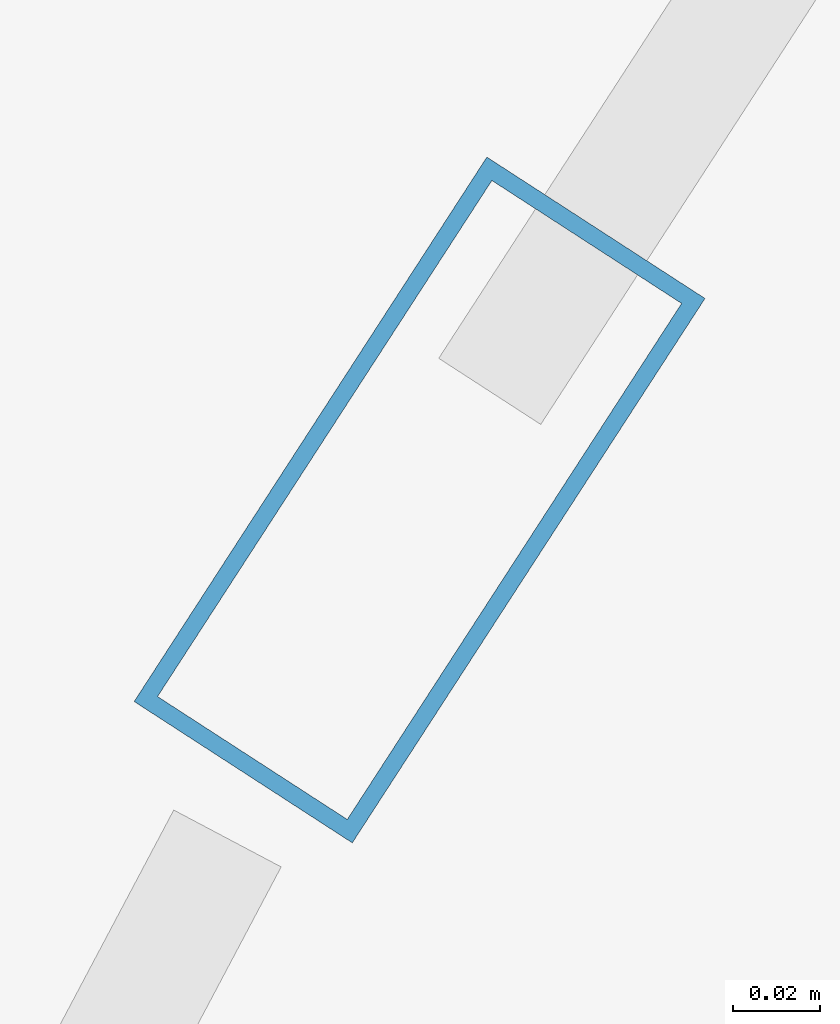
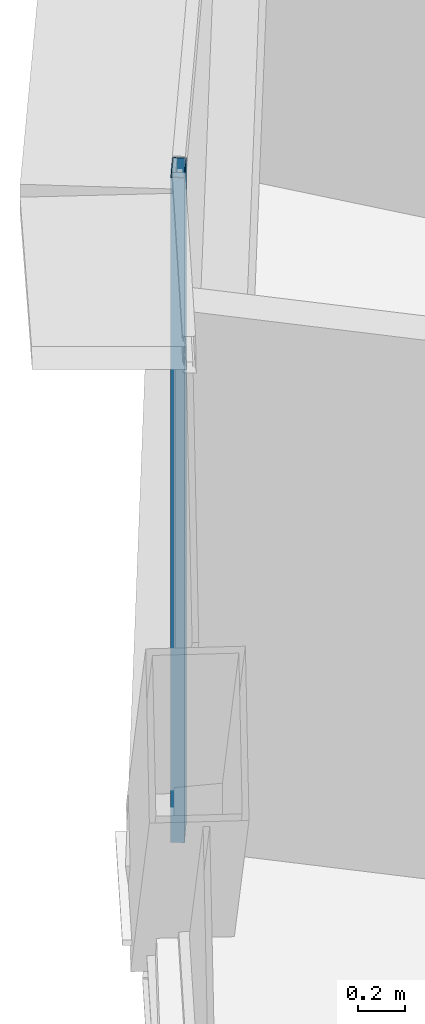
# One storey, part 16 of 42: 1 member, 1 element without a shape of its own.
"""IFC4 building model written with IfcOpenShell, lengths in metres."""

from ifc_helpers import new_model, si_unit, direction, frame, origin, origin_2d, place, context, subcontext, project, spatial, hollow_rectangle, extrude, source, transform, mapped, material, layer, layer_set, material_profile, profile_set, type_object, element, aggregate, save


model = new_model("IFC4")

# Units and contexts
model_context = context("Model", 3, precision=1e-05, world=origin(), true_north=direction((0.0, 1.0)))
body_context = subcontext(model_context, "Body", "Model", "MODEL_VIEW")
ifc_project = project(units=[si_unit("LENGTHUNIT", "METRE"), si_unit("AREAUNIT", "SQUARE_METRE"), si_unit("VOLUMEUNIT", "CUBIC_METRE"), si_unit("PLANEANGLEUNIT", "RADIAN"), si_unit("MASSUNIT", "GRAM", prefix="KILO"), si_unit("THERMODYNAMICTEMPERATUREUNIT", "KELVIN"), si_unit("POWERUNIT", "WATT")], contexts=[model_context])

# Site, building, storey
site_placement = place(None, origin())
site = spatial("IfcSite", under=ifc_project, at=site_placement, CompositionType="ELEMENT")
building_placement = place(site_placement, origin())
building = spatial("IfcBuilding", under=site, at=building_placement, Name="Yunzhuo Pagoda Commons", CompositionType="ELEMENT")
storey_placement = place(building_placement, frame((0.0, 0.0, 129.830078125)))
storey = spatial("IfcBuildingStorey", under=building, at=storey_placement, Name="L32", CompositionType="ELEMENT", Elevation=129.830078125)

# Curtain wall, member
ifc_material = material(Name="Anodized aluminium 6063-T6", Category="aluminium")
ifc_layer = layer(ifc_material, 0.14990234375)
ifc_layer_set = layer_set([ifc_layer], Name="Anodized aluminium 6063-T6")
curtain_wall_type = type_object("IfcCurtainWallType", Name="CW-MID Mid-Zone Ribbon Curtain Wall", PredefinedType="NOTDEFINED", material=ifc_layer_set)
curtain_wall_placement = place(storey_placement, origin())
curtain_wall = element("IfcCurtainWall", 1, at=curtain_wall_placement, inside=storey, type_object=curtain_wall_type, Name="L32 curtain wall CW-L32-F3B2", PredefinedType="NOTDEFINED")
ifc_material_profile = material_profile(ifc_material, hollow_rectangle(XDim=0.06005859375, YDim=0.14990234375, WallThickness=0.00390625, at=origin_2d()), Name="Anodized aluminium 6063-T6")
ifc_profile_set = profile_set([ifc_material_profile], Name="Anodized aluminium 6063-T6")
member_type = type_object("IfcMemberType", Name="CW-MID-M Mullion RHS 150x60x4", PredefinedType="MULLION", material=ifc_profile_set)
shared_shape = source(origin(), body_context, "Body", "SweptSolid", [
    extrude(hollow_rectangle(XDim=0.06005859375, YDim=0.14990234375, WallThickness=0.00390625, at=origin_2d()), origin(), (0.0, 0.0, 1.0), 3.419921875),
])
member_placement = place(storey_placement, frame((22.842529296875, 56.391845703125, 0.0), z_axis=(0.0, 0.0, 1.0), x_axis=(0.839249165596, -0.543747034977, 0.0)))
member = element("IfcMember", 2, at=member_placement, type_object=member_type, Name="CW mullion 2", PredefinedType="MULLION", context=body_context, shape_type="MappedRepresentation", body=[
    mapped(shared_shape, transform((0.0, 0.0, 0.0), scale=1.0)),
])
aggregate(curtain_wall, [member])

save(model, "model.ifc")
